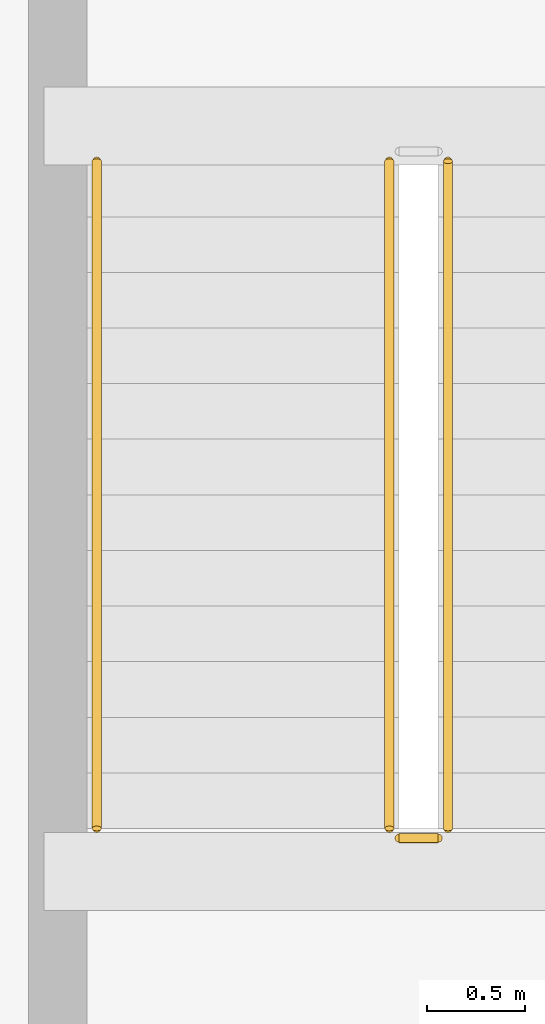
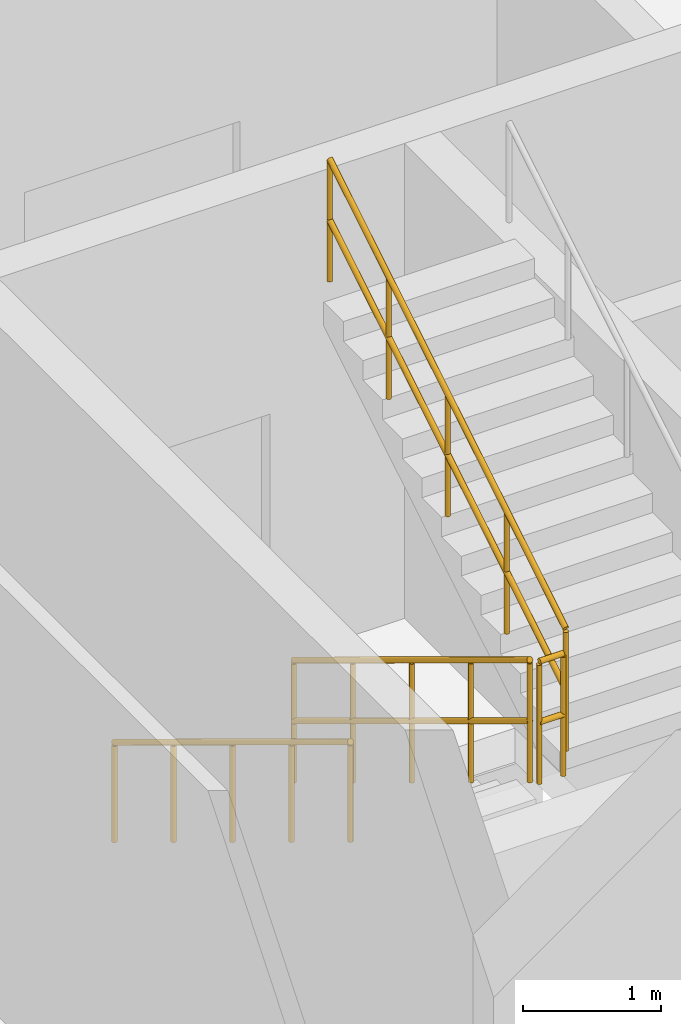
# One storey, part 27 of 34: 4 railings.
"""IFC4 building model written with IfcOpenShell, lengths in metres."""

from ifc_helpers import new_model, si_unit, direction, frame, origin, origin_2d, place, context, subcontext, project, spatial, circle, extrude, material, type_object, element, save


model = new_model("IFC4")

# Units and contexts
model_context = context("Model", 3, precision=1e-05, world=origin(), true_north=direction((0.0, 1.0)))
body_context = subcontext(model_context, "Body", "Model", "MODEL_VIEW")
ifc_project = project(units=[si_unit("LENGTHUNIT", "METRE"), si_unit("AREAUNIT", "SQUARE_METRE"), si_unit("VOLUMEUNIT", "CUBIC_METRE"), si_unit("PLANEANGLEUNIT", "RADIAN"), si_unit("MASSUNIT", "GRAM", prefix="KILO")], contexts=[model_context])

# Site, building, storey
site_placement = place(None, origin())
site = spatial("IfcSite", under=ifc_project, at=site_placement, CompositionType="ELEMENT")
building_placement = place(site_placement, origin())
building = spatial("IfcBuilding", under=site, at=building_placement, Name="Khurvash Pelagic Aquarium", CompositionType="ELEMENT")
storey_placement = place(building_placement, frame((0.0, 0.0, 15.60009765625)))
storey = spatial("IfcBuildingStorey", under=building, at=storey_placement, Name="L03", CompositionType="ELEMENT", Elevation=15.60009765625)

# Railings
ifc_material_1 = material(Name="Powder-coated galvanised steel S355J2", Category="steel")
railing_type_1 = type_object("IfcRailingType", Name="GR-01", PredefinedType="GUARDRAIL", material=ifc_material_1)
railing_1_placement = place(storey_placement, frame((95.14990234375, 18.25, 0.173095703125)))
element("IfcRailing", 1, at=railing_1_placement, inside=storey, type_object=railing_type_1, Name="L03 ST-03 stair guard 1", PredefinedType="GUARDRAIL", context=body_context, shape_type="SweptSolid", body=[
    extrude(circle(Radius=0.02392578125, at=origin_2d()), frame((0.0, 0.0, 1.076171875), z_axis=(0.0, -0.854729506542, 0.519073665916), x_axis=(1.0, 0.0, 0.0)), (0.0, 0.0, 1.0), 4.001220703125),
    extrude(circle(Radius=0.02392578125, at=origin_2d()), frame((0.0, 0.0, 0.5380859375), z_axis=(0.0, -0.854729506542, 0.519073665916), x_axis=(1.0, 0.0, 0.0)), (0.0, 0.0, 1.0), 4.001220703125),
    extrude(circle(Radius=0.02099609375, at=origin_2d()), origin(), (0.0, 0.0, 1.0), 1.052001953125),
    extrude(circle(Radius=0.02099609375, at=origin_2d()), frame((0.0, -0.85498046875, 0.519287109375)), (0.0, 0.0, 1.0), 1.052001953125),
    extrude(circle(Radius=0.02099609375, at=origin_2d()), frame((0.0, -1.7099609375, 1.03857421875)), (0.0, 0.0, 1.0), 1.052001953125),
    extrude(circle(Radius=0.02099609375, at=origin_2d()), frame((0.0, -2.56494140625, 1.5576171875)), (0.0, 0.0, 1.0), 1.052001953125),
    extrude(circle(Radius=0.02099609375, at=origin_2d()), frame((0.0, -3.419921875, 2.076904296875)), (0.0, 0.0, 1.0), 1.052001953125),
])
railing_2_placement = place(storey_placement, frame((95.199951171875, 14.780029296875, 2.25)))
element("IfcRailing", 2, at=railing_2_placement, inside=storey, type_object=railing_type_1, Name="L03 ST-03 stair guard 2", PredefinedType="GUARDRAIL", context=body_context, shape_type="SweptSolid", body=[
    extrude(circle(Radius=0.02392578125, at=origin_2d()), frame((0.0, 0.0, 1.076171875), z_axis=(1.0, 0.0, 0.0), x_axis=(0.0, 1.0, 0.0)), (0.0, 0.0, 1.0), 0.199951171875),
    extrude(circle(Radius=0.02392578125, at=origin_2d()), frame((0.0, 0.0, 0.5380859375), z_axis=(1.0, 0.0, 0.0), x_axis=(0.0, 1.0, 0.0)), (0.0, 0.0, 1.0), 0.199951171875),
    extrude(circle(Radius=0.02099609375, at=origin_2d()), origin(), (0.0, 0.0, 1.0), 1.052001953125),
    extrude(circle(Radius=0.02099609375, at=origin_2d()), frame((0.199951171875, 0.0, 0.0)), (0.0, 0.0, 1.0), 1.052001953125),
])
railing_3_placement = place(storey_placement, frame((95.449951171875, 14.830078125, 2.423095703125)))
element("IfcRailing", 3, at=railing_3_placement, inside=storey, type_object=railing_type_1, Name="L03 ST-03 stair guard 3", PredefinedType="GUARDRAIL", context=body_context, shape_type="SweptSolid", body=[
    extrude(circle(Radius=0.02392578125, at=origin_2d()), frame((0.0, 0.0, 1.076171875), z_axis=(0.0, 0.854729506542, 0.519073665916), x_axis=(-1.0, 0.0, 0.0)), (0.0, 0.0, 1.0), 4.001220703125),
    extrude(circle(Radius=0.02392578125, at=origin_2d()), frame((0.0, 0.0, 0.5380859375), z_axis=(0.0, 0.854729506542, 0.519073665916), x_axis=(-1.0, 0.0, 0.0)), (0.0, 0.0, 1.0), 4.001220703125),
    extrude(circle(Radius=0.02099609375, at=origin_2d()), origin(), (0.0, 0.0, 1.0), 1.052001953125),
    extrude(circle(Radius=0.02099609375, at=origin_2d()), frame((0.0, 0.85498046875, 0.519287109375)), (0.0, 0.0, 1.0), 1.052001953125),
    extrude(circle(Radius=0.02099609375, at=origin_2d()), frame((0.0, 1.7099609375, 1.03857421875)), (0.0, 0.0, 1.0), 1.052001953125),
    extrude(circle(Radius=0.02099609375, at=origin_2d()), frame((0.0, 2.56494140625, 1.5576171875)), (0.0, 0.0, 1.0), 1.052001953125),
    extrude(circle(Radius=0.02099609375, at=origin_2d()), frame((0.0, 3.419921875, 2.076904296875)), (0.0, 0.0, 1.0), 1.052001953125),
])
ifc_material_2 = material(Name="Brushed stainless steel 316", Category="steel")
railing_type_2 = type_object("IfcRailingType", Name="HR-01", PredefinedType="HANDRAIL", material=ifc_material_2)
railing_4_placement = place(storey_placement, frame((93.64990234375, 18.25, 0.173095703125)))
element("IfcRailing", 4, at=railing_4_placement, inside=storey, type_object=railing_type_2, Name="L03 ST-03 stair handrail 1", PredefinedType="HANDRAIL", context=body_context, shape_type="SweptSolid", body=[
    extrude(circle(Radius=0.02392578125, at=origin_2d()), frame((0.0, 0.0, 0.8759765625), z_axis=(0.0, -0.854729506542, 0.519073665916), x_axis=(1.0, 0.0, 0.0)), (0.0, 0.0, 1.0), 4.001220703125),
    extrude(circle(Radius=0.02099609375, at=origin_2d()), origin(), (0.0, 0.0, 1.0), 0.851806640625),
    extrude(circle(Radius=0.02099609375, at=origin_2d()), frame((0.0, -0.85498046875, 0.519287109375)), (0.0, 0.0, 1.0), 0.851806640625),
    extrude(circle(Radius=0.02099609375, at=origin_2d()), frame((0.0, -1.7099609375, 1.03857421875)), (0.0, 0.0, 1.0), 0.851806640625),
    extrude(circle(Radius=0.02099609375, at=origin_2d()), frame((0.0, -2.56494140625, 1.5576171875)), (0.0, 0.0, 1.0), 0.851806640625),
    extrude(circle(Radius=0.02099609375, at=origin_2d()), frame((0.0, -3.419921875, 2.076904296875)), (0.0, 0.0, 1.0), 0.851806640625),
])

save(model, "model.ifc")
